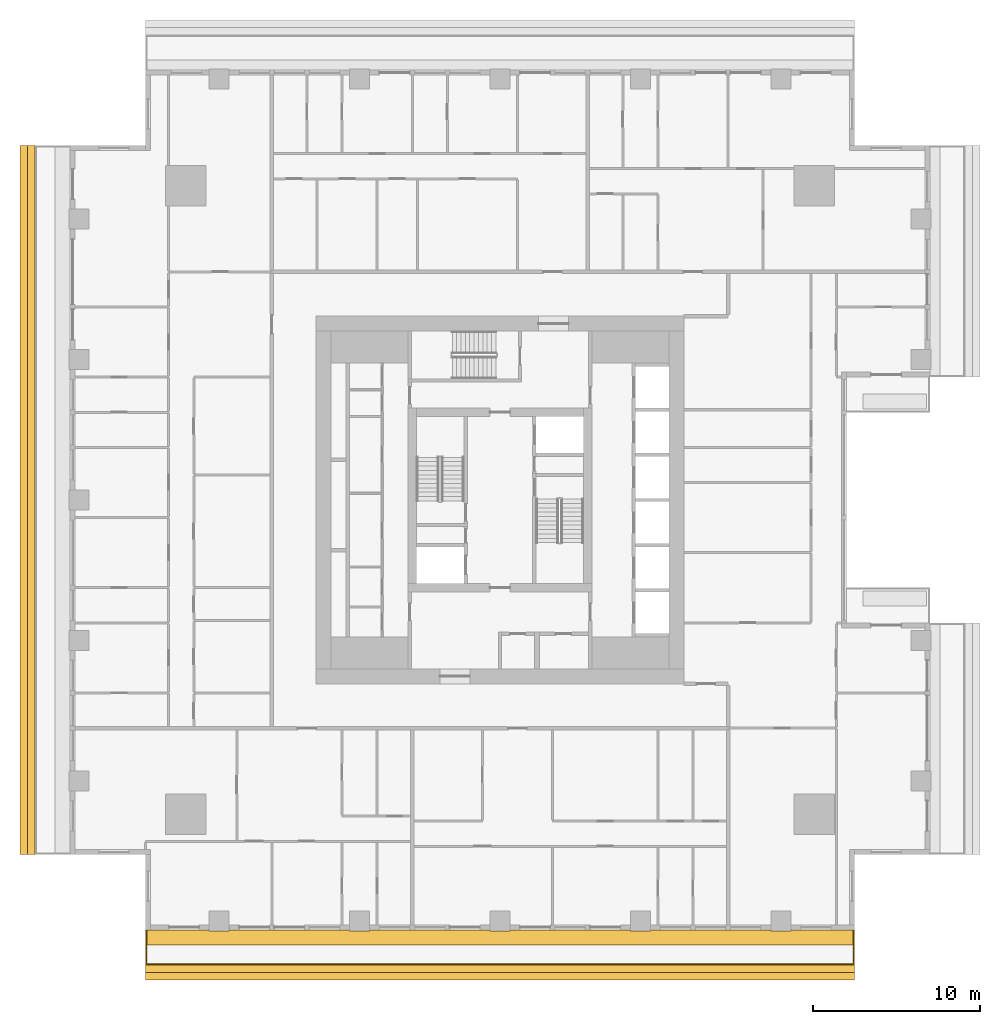
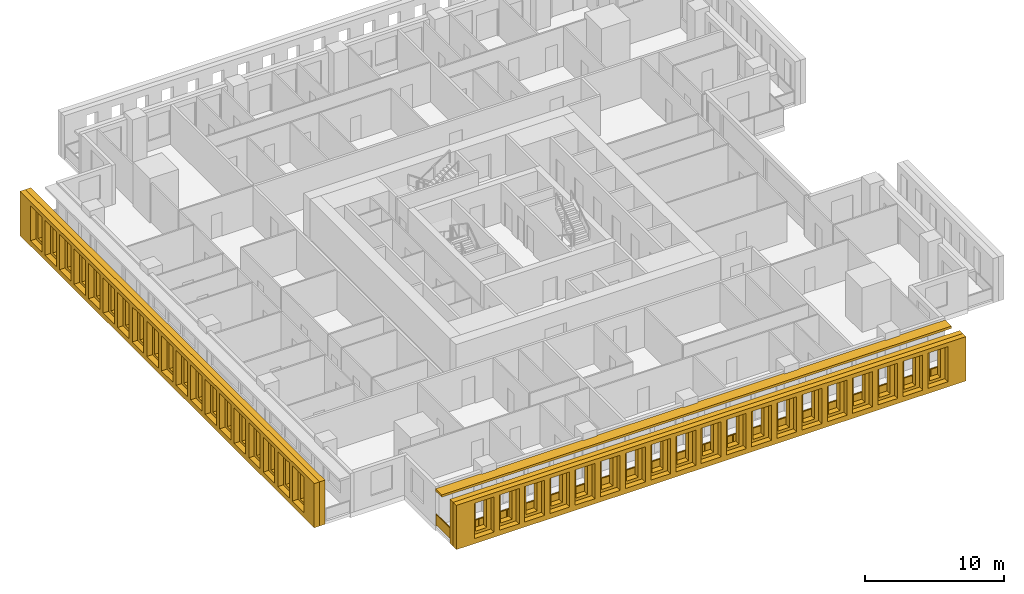
# One storey, part 11 of 16: 5 shading devices, 1 railing.
"""IFC4 building model written with IfcOpenShell, lengths in metres."""

from ifc_helpers import new_model, si_unit, direction, frame, origin, origin_2d, place, context, subcontext, project, spatial, polyline, rectangle, outline, extrude, material, layer, layer_set, type_object, element, save


model = new_model("IFC4")

# Units and contexts
model_context = context("Model", 3, precision=1e-05, world=origin(), true_north=direction((0.0, 1.0)))
body_context = subcontext(model_context, "Body", "Model", "MODEL_VIEW")
ifc_project = project(units=[si_unit("LENGTHUNIT", "METRE"), si_unit("AREAUNIT", "SQUARE_METRE"), si_unit("VOLUMEUNIT", "CUBIC_METRE"), si_unit("PLANEANGLEUNIT", "RADIAN"), si_unit("MASSUNIT", "GRAM", prefix="KILO")], contexts=[model_context])

# Site, building, storey
site_placement = place(None, origin())
site = spatial("IfcSite", under=ifc_project, at=site_placement, CompositionType="ELEMENT")
building_placement = place(site_placement, origin())
building = spatial("IfcBuilding", under=site, at=building_placement, Name="Khepri Terraces", CompositionType="ELEMENT")
storey_placement = place(building_placement, frame((0.0, 0.0, 204.0)))
storey = spatial("IfcBuildingStorey", under=building, at=storey_placement, Name="L48", CompositionType="ELEMENT", Elevation=204.0)

# Railing
ifc_material_1 = material(Name="Stainless steel grade 316", Category="steel")
railing_type = type_object("IfcRailingType", Name="GRD-BAL-1100", PredefinedType="GUARDRAIL", material=ifc_material_1)
railing_placement = place(storey_placement, frame((-21.169921875, -25.719970703125, 0.0)))
element("IfcRailing", 1, at=railing_placement, inside=storey, type_object=railing_type, Name="Balcony guard L48 S", PredefinedType="GUARDRAIL", context=body_context, shape_type="SweptSolid", body=[
    extrude(rectangle(XDim=0.050048828125, YDim=0.06005859375, at=origin_2d()), frame((0.0, 0.0, 1.070068359375), z_axis=(0.0, -1.0, 0.0), x_axis=(1.0, 0.0, 0.0)), (0.0, 0.0, 1.0), 2.050048828125),
    extrude(rectangle(XDim=2.0, YDim=0.011962890625, at=origin_2d()), frame((0.0, -1.02490234375, 0.10009765625), z_axis=(0.0, 0.0, 1.0), x_axis=(0.0, -1.0, 0.0)), (0.0, 0.0, 1.0), 0.93994140625),
    extrude(rectangle(XDim=0.050048828125, YDim=0.06005859375, at=origin_2d()), frame((0.0, -2.050048828125, 1.070068359375), z_axis=(1.0, 0.0, 0.0), x_axis=(0.0, 1.0, 0.0)), (0.0, 0.0, 1.0), 42.33984375),
    extrude(rectangle(XDim=2.30224609375, YDim=0.011962890625, at=origin_2d()), frame((1.176025390625, -2.050048828125, 0.10009765625), z_axis=(0.0, 0.0, 1.0), x_axis=(1.0, 0.0, 0.0)), (0.0, 0.0, 1.0), 0.93994140625),
    extrude(rectangle(XDim=2.30224609375, YDim=0.011962890625, at=origin_2d()), frame((3.5283203125, -2.050048828125, 0.10009765625), z_axis=(0.0, 0.0, 1.0), x_axis=(1.0, 0.0, 0.0)), (0.0, 0.0, 1.0), 0.93994140625),
    extrude(rectangle(XDim=2.30224609375, YDim=0.011962890625, at=origin_2d()), frame((5.880615234375, -2.050048828125, 0.10009765625), z_axis=(0.0, 0.0, 1.0), x_axis=(1.0, 0.0, 0.0)), (0.0, 0.0, 1.0), 0.93994140625),
    extrude(rectangle(XDim=2.30224609375, YDim=0.011962890625, at=origin_2d()), frame((8.232666015625, -2.050048828125, 0.10009765625), z_axis=(0.0, 0.0, 1.0), x_axis=(1.0, 0.0, 0.0)), (0.0, 0.0, 1.0), 0.93994140625),
    extrude(rectangle(XDim=2.30224609375, YDim=0.011962890625, at=origin_2d()), frame((10.5849609375, -2.050048828125, 0.10009765625), z_axis=(0.0, 0.0, 1.0), x_axis=(1.0, 0.0, 0.0)), (0.0, 0.0, 1.0), 0.93994140625),
    extrude(rectangle(XDim=2.30224609375, YDim=0.011962890625, at=origin_2d()), frame((12.937255859375, -2.050048828125, 0.10009765625), z_axis=(0.0, 0.0, 1.0), x_axis=(1.0, 0.0, 0.0)), (0.0, 0.0, 1.0), 0.93994140625),
    extrude(rectangle(XDim=2.30224609375, YDim=0.011962890625, at=origin_2d()), frame((15.289306640625, -2.050048828125, 0.10009765625), z_axis=(0.0, 0.0, 1.0), x_axis=(1.0, 0.0, 0.0)), (0.0, 0.0, 1.0), 0.93994140625),
    extrude(rectangle(XDim=2.30224609375, YDim=0.011962890625, at=origin_2d()), frame((17.6416015625, -2.050048828125, 0.10009765625), z_axis=(0.0, 0.0, 1.0), x_axis=(1.0, 0.0, 0.0)), (0.0, 0.0, 1.0), 0.93994140625),
    extrude(rectangle(XDim=2.30224609375, YDim=0.011962890625, at=origin_2d()), frame((19.993896484375, -2.050048828125, 0.10009765625), z_axis=(0.0, 0.0, 1.0), x_axis=(1.0, 0.0, 0.0)), (0.0, 0.0, 1.0), 0.93994140625),
    extrude(rectangle(XDim=2.30224609375, YDim=0.011962890625, at=origin_2d()), frame((22.345947265625, -2.050048828125, 0.10009765625), z_axis=(0.0, 0.0, 1.0), x_axis=(1.0, 0.0, 0.0)), (0.0, 0.0, 1.0), 0.93994140625),
    extrude(rectangle(XDim=2.30224609375, YDim=0.011962890625, at=origin_2d()), frame((24.6982421875, -2.050048828125, 0.10009765625), z_axis=(0.0, 0.0, 1.0), x_axis=(1.0, 0.0, 0.0)), (0.0, 0.0, 1.0), 0.93994140625),
    extrude(rectangle(XDim=2.30224609375, YDim=0.011962890625, at=origin_2d()), frame((27.050537109375, -2.050048828125, 0.10009765625), z_axis=(0.0, 0.0, 1.0), x_axis=(1.0, 0.0, 0.0)), (0.0, 0.0, 1.0), 0.93994140625),
    extrude(rectangle(XDim=2.30224609375, YDim=0.011962890625, at=origin_2d()), frame((29.402587890625, -2.050048828125, 0.10009765625), z_axis=(0.0, 0.0, 1.0), x_axis=(1.0, 0.0, 0.0)), (0.0, 0.0, 1.0), 0.93994140625),
    extrude(rectangle(XDim=2.30224609375, YDim=0.011962890625, at=origin_2d()), frame((31.7548828125, -2.050048828125, 0.10009765625), z_axis=(0.0, 0.0, 1.0), x_axis=(1.0, 0.0, 0.0)), (0.0, 0.0, 1.0), 0.93994140625),
    extrude(rectangle(XDim=2.30224609375, YDim=0.011962890625, at=origin_2d()), frame((34.107177734375, -2.050048828125, 0.10009765625), z_axis=(0.0, 0.0, 1.0), x_axis=(1.0, 0.0, 0.0)), (0.0, 0.0, 1.0), 0.93994140625),
    extrude(rectangle(XDim=2.30224609375, YDim=0.011962890625, at=origin_2d()), frame((36.459228515625, -2.050048828125, 0.10009765625), z_axis=(0.0, 0.0, 1.0), x_axis=(1.0, 0.0, 0.0)), (0.0, 0.0, 1.0), 0.93994140625),
    extrude(rectangle(XDim=2.30224609375, YDim=0.011962890625, at=origin_2d()), frame((38.8115234375, -2.050048828125, 0.10009765625), z_axis=(0.0, 0.0, 1.0), x_axis=(1.0, 0.0, 0.0)), (0.0, 0.0, 1.0), 0.93994140625),
    extrude(rectangle(XDim=2.30224609375, YDim=0.011962890625, at=origin_2d()), frame((41.163818359375, -2.050048828125, 0.10009765625), z_axis=(0.0, 0.0, 1.0), x_axis=(1.0, 0.0, 0.0)), (0.0, 0.0, 1.0), 0.93994140625),
    extrude(rectangle(XDim=0.050048828125, YDim=0.06005859375, at=origin_2d()), frame((42.33984375, -2.050048828125, 1.070068359375), z_axis=(0.0, 1.0, 0.0), x_axis=(-1.0, 0.0, 0.0)), (0.0, 0.0, 1.0), 2.050048828125),
    extrude(rectangle(XDim=2.0, YDim=0.011962890625, at=origin_2d()), frame((42.33984375, -1.02490234375, 0.10009765625), z_axis=(0.0, 0.0, 1.0), x_axis=(0.0, 1.0, 0.0)), (0.0, 0.0, 1.0), 0.93994140625),
    extrude(rectangle(XDim=0.050048828125, YDim=0.050048828125, at=origin_2d()), origin(), (0.0, 0.0, 1.0), 1.0400390625),
    extrude(rectangle(XDim=0.050048828125, YDim=0.050048828125, at=origin_2d()), frame((0.0, -2.050048828125, 0.0)), (0.0, 0.0, 1.0), 1.0400390625),
    extrude(rectangle(XDim=0.050048828125, YDim=0.050048828125, at=origin_2d()), frame((2.352294921875, -2.050048828125, 0.0)), (0.0, 0.0, 1.0), 1.0400390625),
    extrude(rectangle(XDim=0.050048828125, YDim=0.050048828125, at=origin_2d()), frame((4.704345703125, -2.050048828125, 0.0)), (0.0, 0.0, 1.0), 1.0400390625),
    extrude(rectangle(XDim=0.050048828125, YDim=0.050048828125, at=origin_2d()), frame((7.056640625, -2.050048828125, 0.0)), (0.0, 0.0, 1.0), 1.0400390625),
    extrude(rectangle(XDim=0.050048828125, YDim=0.050048828125, at=origin_2d()), frame((9.408935546875, -2.050048828125, 0.0)), (0.0, 0.0, 1.0), 1.0400390625),
    extrude(rectangle(XDim=0.050048828125, YDim=0.050048828125, at=origin_2d()), frame((11.760986328125, -2.050048828125, 0.0)), (0.0, 0.0, 1.0), 1.0400390625),
    extrude(rectangle(XDim=0.050048828125, YDim=0.050048828125, at=origin_2d()), frame((14.11328125, -2.050048828125, 0.0)), (0.0, 0.0, 1.0), 1.0400390625),
    extrude(rectangle(XDim=0.050048828125, YDim=0.050048828125, at=origin_2d()), frame((16.465576171875, -2.050048828125, 0.0)), (0.0, 0.0, 1.0), 1.0400390625),
    extrude(rectangle(XDim=0.050048828125, YDim=0.050048828125, at=origin_2d()), frame((18.817626953125, -2.050048828125, 0.0)), (0.0, 0.0, 1.0), 1.0400390625),
    extrude(rectangle(XDim=0.050048828125, YDim=0.050048828125, at=origin_2d()), frame((21.169921875, -2.050048828125, 0.0)), (0.0, 0.0, 1.0), 1.0400390625),
    extrude(rectangle(XDim=0.050048828125, YDim=0.050048828125, at=origin_2d()), frame((23.522216796875, -2.050048828125, 0.0)), (0.0, 0.0, 1.0), 1.0400390625),
    extrude(rectangle(XDim=0.050048828125, YDim=0.050048828125, at=origin_2d()), frame((25.874267578125, -2.050048828125, 0.0)), (0.0, 0.0, 1.0), 1.0400390625),
    extrude(rectangle(XDim=0.050048828125, YDim=0.050048828125, at=origin_2d()), frame((28.2265625, -2.050048828125, 0.0)), (0.0, 0.0, 1.0), 1.0400390625),
    extrude(rectangle(XDim=0.050048828125, YDim=0.050048828125, at=origin_2d()), frame((30.578857421875, -2.050048828125, 0.0)), (0.0, 0.0, 1.0), 1.0400390625),
    extrude(rectangle(XDim=0.050048828125, YDim=0.050048828125, at=origin_2d()), frame((32.930908203125, -2.050048828125, 0.0)), (0.0, 0.0, 1.0), 1.0400390625),
    extrude(rectangle(XDim=0.050048828125, YDim=0.050048828125, at=origin_2d()), frame((35.283203125, -2.050048828125, 0.0)), (0.0, 0.0, 1.0), 1.0400390625),
    extrude(rectangle(XDim=0.050048828125, YDim=0.050048828125, at=origin_2d()), frame((37.635498046875, -2.050048828125, 0.0)), (0.0, 0.0, 1.0), 1.0400390625),
    extrude(rectangle(XDim=0.050048828125, YDim=0.050048828125, at=origin_2d()), frame((39.987548828125, -2.050048828125, 0.0)), (0.0, 0.0, 1.0), 1.0400390625),
    extrude(rectangle(XDim=0.050048828125, YDim=0.050048828125, at=origin_2d()), frame((42.33984375, -2.050048828125, 0.0)), (0.0, 0.0, 1.0), 1.0400390625),
    extrude(rectangle(XDim=0.050048828125, YDim=0.050048828125, at=origin_2d()), frame((42.33984375, 0.0, 0.0)), (0.0, 0.0, 1.0), 1.0400390625),
])

# Shading devices
ifc_material_2 = material(Name="Precast concrete C50/60 warm stone", Category="masonry")
shading_device_type_1 = type_object("IfcShadingDeviceType", Name="SCR-CELL-INNER-450", PredefinedType="USERDEFINED", material=ifc_material_2)
shading_device_1_placement = place(storey_placement, frame((-21.219970703125, -27.820068359375, -0.25), z_axis=(0.0, -1.0, 0.0), x_axis=(1.0, 0.0, 0.0)))
element("IfcShadingDevice", 2, at=shading_device_1_placement, inside=storey, type_object=shading_device_type_1, Name="Cell screen L48 S in", ObjectType="SCREEN", PredefinedType="USERDEFINED", context=body_context, shape_type="SweptSolid", body=[
    extrude(outline(polyline([(0.0, 0.0), (42.43994140625, 0.0), (42.43994140625, 3.89990234375), (0.0, 3.89990234375), (0.0, 0.0)]), holes=[polyline([(1.847412109375, 0.699951171875), (2.79248046875, 0.699951171875), (2.79248046875, 3.300048828125), (1.847412109375, 3.300048828125), (1.847412109375, 0.699951171875)]), polyline([(3.947509765625, 0.699951171875), (4.892578125, 0.699951171875), (4.892578125, 3.300048828125), (3.947509765625, 3.300048828125), (3.947509765625, 0.699951171875)]), polyline([(6.047607421875, 0.699951171875), (6.992431640625, 0.699951171875), (6.992431640625, 3.300048828125), (6.047607421875, 3.300048828125), (6.047607421875, 0.699951171875)]), polyline([(8.1474609375, 0.699951171875), (9.092529296875, 0.699951171875), (9.092529296875, 3.300048828125), (8.1474609375, 3.300048828125), (8.1474609375, 0.699951171875)]), polyline([(10.24755859375, 0.699951171875), (11.1923828125, 0.699951171875), (11.1923828125, 3.300048828125), (10.24755859375, 3.300048828125), (10.24755859375, 0.699951171875)]), polyline([(12.347412109375, 0.699951171875), (13.29248046875, 0.699951171875), (13.29248046875, 3.300048828125), (12.347412109375, 3.300048828125), (12.347412109375, 0.699951171875)]), polyline([(14.447509765625, 0.699951171875), (15.392578125, 0.699951171875), (15.392578125, 3.300048828125), (14.447509765625, 3.300048828125), (14.447509765625, 0.699951171875)]), polyline([(16.547607421875, 0.699951171875), (17.492431640625, 0.699951171875), (17.492431640625, 3.300048828125), (16.547607421875, 3.300048828125), (16.547607421875, 0.699951171875)]), polyline([(18.6474609375, 0.699951171875), (19.592529296875, 0.699951171875), (19.592529296875, 3.300048828125), (18.6474609375, 3.300048828125), (18.6474609375, 0.699951171875)]), polyline([(20.74755859375, 0.699951171875), (21.6923828125, 0.699951171875), (21.6923828125, 3.300048828125), (20.74755859375, 3.300048828125), (20.74755859375, 0.699951171875)]), polyline([(22.847412109375, 0.699951171875), (23.79248046875, 0.699951171875), (23.79248046875, 3.300048828125), (22.847412109375, 3.300048828125), (22.847412109375, 0.699951171875)]), polyline([(24.947509765625, 0.699951171875), (25.892578125, 0.699951171875), (25.892578125, 3.300048828125), (24.947509765625, 3.300048828125), (24.947509765625, 0.699951171875)]), polyline([(27.047607421875, 0.699951171875), (27.992431640625, 0.699951171875), (27.992431640625, 3.300048828125), (27.047607421875, 3.300048828125), (27.047607421875, 0.699951171875)]), polyline([(29.1474609375, 0.699951171875), (30.092529296875, 0.699951171875), (30.092529296875, 3.300048828125), (29.1474609375, 3.300048828125), (29.1474609375, 0.699951171875)]), polyline([(31.24755859375, 0.699951171875), (32.1923828125, 0.699951171875), (32.1923828125, 3.300048828125), (31.24755859375, 3.300048828125), (31.24755859375, 0.699951171875)]), polyline([(33.347412109375, 0.699951171875), (34.29248046875, 0.699951171875), (34.29248046875, 3.300048828125), (33.347412109375, 3.300048828125), (33.347412109375, 0.699951171875)]), polyline([(35.447509765625, 0.699951171875), (36.392578125, 0.699951171875), (36.392578125, 3.300048828125), (35.447509765625, 3.300048828125), (35.447509765625, 0.699951171875)]), polyline([(37.547607421875, 0.699951171875), (38.492431640625, 0.699951171875), (38.492431640625, 3.300048828125), (37.547607421875, 3.300048828125), (37.547607421875, 0.699951171875)]), polyline([(39.6474609375, 0.699951171875), (40.592529296875, 0.699951171875), (40.592529296875, 3.300048828125), (39.6474609375, 3.300048828125), (39.6474609375, 0.699951171875)])]), origin(), (0.0, 0.0, 1.0), 0.449951171875),
])
shading_device_2_placement = place(storey_placement, frame((-27.820068359375, 21.219970703125, -0.25), z_axis=(-1.0, 0.0, 0.0), x_axis=(0.0, -1.0, 0.0)))
element("IfcShadingDevice", 3, at=shading_device_2_placement, inside=storey, type_object=shading_device_type_1, Name="Cell screen L48 W in", ObjectType="SCREEN", PredefinedType="USERDEFINED", context=body_context, shape_type="SweptSolid", body=[
    extrude(outline(polyline([(0.0, 0.0), (42.43994140625, 0.0), (42.43994140625, 3.89990234375), (0.0, 3.89990234375), (0.0, 0.0)]), holes=[polyline([(1.847412109375, 0.699951171875), (2.79248046875, 0.699951171875), (2.79248046875, 3.300048828125), (1.847412109375, 3.300048828125), (1.847412109375, 0.699951171875)]), polyline([(3.947509765625, 0.699951171875), (4.892578125, 0.699951171875), (4.892578125, 3.300048828125), (3.947509765625, 3.300048828125), (3.947509765625, 0.699951171875)]), polyline([(6.047607421875, 0.699951171875), (6.992431640625, 0.699951171875), (6.992431640625, 3.300048828125), (6.047607421875, 3.300048828125), (6.047607421875, 0.699951171875)]), polyline([(8.1474609375, 0.699951171875), (9.092529296875, 0.699951171875), (9.092529296875, 3.300048828125), (8.1474609375, 3.300048828125), (8.1474609375, 0.699951171875)]), polyline([(10.24755859375, 0.699951171875), (11.1923828125, 0.699951171875), (11.1923828125, 3.300048828125), (10.24755859375, 3.300048828125), (10.24755859375, 0.699951171875)]), polyline([(12.347412109375, 0.699951171875), (13.29248046875, 0.699951171875), (13.29248046875, 3.300048828125), (12.347412109375, 3.300048828125), (12.347412109375, 0.699951171875)]), polyline([(14.447509765625, 0.699951171875), (15.392578125, 0.699951171875), (15.392578125, 3.300048828125), (14.447509765625, 3.300048828125), (14.447509765625, 0.699951171875)]), polyline([(16.547607421875, 0.699951171875), (17.492431640625, 0.699951171875), (17.492431640625, 3.300048828125), (16.547607421875, 3.300048828125), (16.547607421875, 0.699951171875)]), polyline([(18.6474609375, 0.699951171875), (19.592529296875, 0.699951171875), (19.592529296875, 3.300048828125), (18.6474609375, 3.300048828125), (18.6474609375, 0.699951171875)]), polyline([(20.74755859375, 0.699951171875), (21.6923828125, 0.699951171875), (21.6923828125, 3.300048828125), (20.74755859375, 3.300048828125), (20.74755859375, 0.699951171875)]), polyline([(22.847412109375, 0.699951171875), (23.79248046875, 0.699951171875), (23.79248046875, 3.300048828125), (22.847412109375, 3.300048828125), (22.847412109375, 0.699951171875)]), polyline([(24.947509765625, 0.699951171875), (25.892578125, 0.699951171875), (25.892578125, 3.300048828125), (24.947509765625, 3.300048828125), (24.947509765625, 0.699951171875)]), polyline([(27.047607421875, 0.699951171875), (27.992431640625, 0.699951171875), (27.992431640625, 3.300048828125), (27.047607421875, 3.300048828125), (27.047607421875, 0.699951171875)]), polyline([(29.1474609375, 0.699951171875), (30.092529296875, 0.699951171875), (30.092529296875, 3.300048828125), (29.1474609375, 3.300048828125), (29.1474609375, 0.699951171875)]), polyline([(31.24755859375, 0.699951171875), (32.1923828125, 0.699951171875), (32.1923828125, 3.300048828125), (31.24755859375, 3.300048828125), (31.24755859375, 0.699951171875)]), polyline([(33.347412109375, 0.699951171875), (34.29248046875, 0.699951171875), (34.29248046875, 3.300048828125), (33.347412109375, 3.300048828125), (33.347412109375, 0.699951171875)]), polyline([(35.447509765625, 0.699951171875), (36.392578125, 0.699951171875), (36.392578125, 3.300048828125), (35.447509765625, 3.300048828125), (35.447509765625, 0.699951171875)]), polyline([(37.547607421875, 0.699951171875), (38.492431640625, 0.699951171875), (38.492431640625, 3.300048828125), (37.547607421875, 3.300048828125), (37.547607421875, 0.699951171875)]), polyline([(39.6474609375, 0.699951171875), (40.592529296875, 0.699951171875), (40.592529296875, 3.300048828125), (39.6474609375, 3.300048828125), (39.6474609375, 0.699951171875)])]), origin(), (0.0, 0.0, 1.0), 0.449951171875),
])
shading_device_type_2 = type_object("IfcShadingDeviceType", Name="SCR-CELL-OUTER-450", PredefinedType="USERDEFINED", material=ifc_material_2)
shading_device_3_placement = place(storey_placement, frame((-21.219970703125, -28.27001953125, -0.25), z_axis=(0.0, -1.0, 0.0), x_axis=(1.0, 0.0, 0.0)))
element("IfcShadingDevice", 4, at=shading_device_3_placement, inside=storey, type_object=shading_device_type_2, Name="Cell screen L48 S out", ObjectType="SCREEN", PredefinedType="USERDEFINED", context=body_context, shape_type="SweptSolid", body=[
    extrude(outline(polyline([(0.0, 0.0), (42.43994140625, 0.0), (42.43994140625, 3.89990234375), (0.0, 3.89990234375), (0.0, 0.0)]), holes=[polyline([(1.49755859375, 0.449951171875), (3.142578125, 0.449951171875), (3.142578125, 3.550048828125), (1.49755859375, 3.550048828125), (1.49755859375, 0.449951171875)]), polyline([(3.597412109375, 0.449951171875), (5.242431640625, 0.449951171875), (5.242431640625, 3.550048828125), (3.597412109375, 3.550048828125), (3.597412109375, 0.449951171875)]), polyline([(5.697509765625, 0.449951171875), (7.342529296875, 0.449951171875), (7.342529296875, 3.550048828125), (5.697509765625, 3.550048828125), (5.697509765625, 0.449951171875)]), polyline([(7.797607421875, 0.449951171875), (9.4423828125, 0.449951171875), (9.4423828125, 3.550048828125), (7.797607421875, 3.550048828125), (7.797607421875, 0.449951171875)]), polyline([(9.8974609375, 0.449951171875), (11.54248046875, 0.449951171875), (11.54248046875, 3.550048828125), (9.8974609375, 3.550048828125), (9.8974609375, 0.449951171875)]), polyline([(11.99755859375, 0.449951171875), (13.642578125, 0.449951171875), (13.642578125, 3.550048828125), (11.99755859375, 3.550048828125), (11.99755859375, 0.449951171875)]), polyline([(14.097412109375, 0.449951171875), (15.742431640625, 0.449951171875), (15.742431640625, 3.550048828125), (14.097412109375, 3.550048828125), (14.097412109375, 0.449951171875)]), polyline([(16.197509765625, 0.449951171875), (17.842529296875, 0.449951171875), (17.842529296875, 3.550048828125), (16.197509765625, 3.550048828125), (16.197509765625, 0.449951171875)]), polyline([(18.297607421875, 0.449951171875), (19.9423828125, 0.449951171875), (19.9423828125, 3.550048828125), (18.297607421875, 3.550048828125), (18.297607421875, 0.449951171875)]), polyline([(20.3974609375, 0.449951171875), (22.04248046875, 0.449951171875), (22.04248046875, 3.550048828125), (20.3974609375, 3.550048828125), (20.3974609375, 0.449951171875)]), polyline([(22.49755859375, 0.449951171875), (24.142578125, 0.449951171875), (24.142578125, 3.550048828125), (22.49755859375, 3.550048828125), (22.49755859375, 0.449951171875)]), polyline([(24.597412109375, 0.449951171875), (26.242431640625, 0.449951171875), (26.242431640625, 3.550048828125), (24.597412109375, 3.550048828125), (24.597412109375, 0.449951171875)]), polyline([(26.697509765625, 0.449951171875), (28.342529296875, 0.449951171875), (28.342529296875, 3.550048828125), (26.697509765625, 3.550048828125), (26.697509765625, 0.449951171875)]), polyline([(28.797607421875, 0.449951171875), (30.4423828125, 0.449951171875), (30.4423828125, 3.550048828125), (28.797607421875, 3.550048828125), (28.797607421875, 0.449951171875)]), polyline([(30.8974609375, 0.449951171875), (32.54248046875, 0.449951171875), (32.54248046875, 3.550048828125), (30.8974609375, 3.550048828125), (30.8974609375, 0.449951171875)]), polyline([(32.99755859375, 0.449951171875), (34.642578125, 0.449951171875), (34.642578125, 3.550048828125), (32.99755859375, 3.550048828125), (32.99755859375, 0.449951171875)]), polyline([(35.097412109375, 0.449951171875), (36.742431640625, 0.449951171875), (36.742431640625, 3.550048828125), (35.097412109375, 3.550048828125), (35.097412109375, 0.449951171875)]), polyline([(37.197509765625, 0.449951171875), (38.842529296875, 0.449951171875), (38.842529296875, 3.550048828125), (37.197509765625, 3.550048828125), (37.197509765625, 0.449951171875)]), polyline([(39.297607421875, 0.449951171875), (40.9423828125, 0.449951171875), (40.9423828125, 3.550048828125), (39.297607421875, 3.550048828125), (39.297607421875, 0.449951171875)])]), origin(), (0.0, 0.0, 1.0), 0.449951171875),
])
shading_device_4_placement = place(storey_placement, frame((-28.27001953125, 21.219970703125, -0.25), z_axis=(-1.0, 0.0, 0.0), x_axis=(0.0, -1.0, 0.0)))
element("IfcShadingDevice", 5, at=shading_device_4_placement, inside=storey, type_object=shading_device_type_2, Name="Cell screen L48 W out", ObjectType="SCREEN", PredefinedType="USERDEFINED", context=body_context, shape_type="SweptSolid", body=[
    extrude(outline(polyline([(0.0, 0.0), (42.43994140625, 0.0), (42.43994140625, 3.89990234375), (0.0, 3.89990234375), (0.0, 0.0)]), holes=[polyline([(1.49755859375, 0.449951171875), (3.142578125, 0.449951171875), (3.142578125, 3.550048828125), (1.49755859375, 3.550048828125), (1.49755859375, 0.449951171875)]), polyline([(3.597412109375, 0.449951171875), (5.242431640625, 0.449951171875), (5.242431640625, 3.550048828125), (3.597412109375, 3.550048828125), (3.597412109375, 0.449951171875)]), polyline([(5.697509765625, 0.449951171875), (7.342529296875, 0.449951171875), (7.342529296875, 3.550048828125), (5.697509765625, 3.550048828125), (5.697509765625, 0.449951171875)]), polyline([(7.797607421875, 0.449951171875), (9.4423828125, 0.449951171875), (9.4423828125, 3.550048828125), (7.797607421875, 3.550048828125), (7.797607421875, 0.449951171875)]), polyline([(9.8974609375, 0.449951171875), (11.54248046875, 0.449951171875), (11.54248046875, 3.550048828125), (9.8974609375, 3.550048828125), (9.8974609375, 0.449951171875)]), polyline([(11.99755859375, 0.449951171875), (13.642578125, 0.449951171875), (13.642578125, 3.550048828125), (11.99755859375, 3.550048828125), (11.99755859375, 0.449951171875)]), polyline([(14.097412109375, 0.449951171875), (15.742431640625, 0.449951171875), (15.742431640625, 3.550048828125), (14.097412109375, 3.550048828125), (14.097412109375, 0.449951171875)]), polyline([(16.197509765625, 0.449951171875), (17.842529296875, 0.449951171875), (17.842529296875, 3.550048828125), (16.197509765625, 3.550048828125), (16.197509765625, 0.449951171875)]), polyline([(18.297607421875, 0.449951171875), (19.9423828125, 0.449951171875), (19.9423828125, 3.550048828125), (18.297607421875, 3.550048828125), (18.297607421875, 0.449951171875)]), polyline([(20.3974609375, 0.449951171875), (22.04248046875, 0.449951171875), (22.04248046875, 3.550048828125), (20.3974609375, 3.550048828125), (20.3974609375, 0.449951171875)]), polyline([(22.49755859375, 0.449951171875), (24.142578125, 0.449951171875), (24.142578125, 3.550048828125), (22.49755859375, 3.550048828125), (22.49755859375, 0.449951171875)]), polyline([(24.597412109375, 0.449951171875), (26.242431640625, 0.449951171875), (26.242431640625, 3.550048828125), (24.597412109375, 3.550048828125), (24.597412109375, 0.449951171875)]), polyline([(26.697509765625, 0.449951171875), (28.342529296875, 0.449951171875), (28.342529296875, 3.550048828125), (26.697509765625, 3.550048828125), (26.697509765625, 0.449951171875)]), polyline([(28.797607421875, 0.449951171875), (30.4423828125, 0.449951171875), (30.4423828125, 3.550048828125), (28.797607421875, 3.550048828125), (28.797607421875, 0.449951171875)]), polyline([(30.8974609375, 0.449951171875), (32.54248046875, 0.449951171875), (32.54248046875, 3.550048828125), (30.8974609375, 3.550048828125), (30.8974609375, 0.449951171875)]), polyline([(32.99755859375, 0.449951171875), (34.642578125, 0.449951171875), (34.642578125, 3.550048828125), (32.99755859375, 3.550048828125), (32.99755859375, 0.449951171875)]), polyline([(35.097412109375, 0.449951171875), (36.742431640625, 0.449951171875), (36.742431640625, 3.550048828125), (35.097412109375, 3.550048828125), (35.097412109375, 0.449951171875)]), polyline([(37.197509765625, 0.449951171875), (38.842529296875, 0.449951171875), (38.842529296875, 3.550048828125), (37.197509765625, 3.550048828125), (37.197509765625, 0.449951171875)]), polyline([(39.297607421875, 0.449951171875), (40.9423828125, 0.449951171875), (40.9423828125, 3.550048828125), (39.297607421875, 3.550048828125), (39.297607421875, 0.449951171875)])]), origin(), (0.0, 0.0, 1.0), 0.449951171875),
])
ifc_layer = layer(ifc_material_2, 0.199951171875, Name="Precast concrete C50/60 warm stone", Category="masonry")
ifc_layer_set = layer_set([ifc_layer], Name="Precast concrete C50/60 warm stone")
shading_device_type_3 = type_object("IfcShadingDeviceType", Name="SSH-BAND-STONE-200", PredefinedType="USERDEFINED", material=ifc_layer_set)
shading_device_5_placement = place(storey_placement, frame((0.0, 0.0, 3.10009765625)))
element("IfcShadingDevice", 6, at=shading_device_5_placement, inside=storey, type_object=shading_device_type_3, Name="Sunshade band L48 S", ObjectType="SUNSHADE", PredefinedType="USERDEFINED", context=body_context, shape_type="SweptSolid", body=[
    extrude(outline(polyline([(-17.39990234375, -25.719970703125), (-21.219970703125, -25.719970703125), (-21.219970703125, -26.6201171875), (21.219970703125, -26.6201171875), (21.219970703125, -25.719970703125), (17.39990234375, -25.719970703125), (17.39990234375, -25.800048828125), (16.199951171875, -25.800048828125), (16.199951171875, -25.719970703125), (9.0, -25.719970703125), (9.0, -25.800048828125), (7.800048828125, -25.800048828125), (7.800048828125, -25.719970703125), (0.60009765625, -25.719970703125), (0.60009765625, -25.800048828125), (-0.60009765625, -25.800048828125), (-0.60009765625, -25.719970703125), (-7.800048828125, -25.719970703125), (-7.800048828125, -25.800048828125), (-9.0, -25.800048828125), (-9.0, -25.719970703125), (-16.199951171875, -25.719970703125), (-16.199951171875, -25.800048828125), (-17.39990234375, -25.800048828125), (-17.39990234375, -25.719970703125)])), origin(), (0.0, 0.0, 1.0), 0.199951171875),
])

save(model, "model.ifc")
